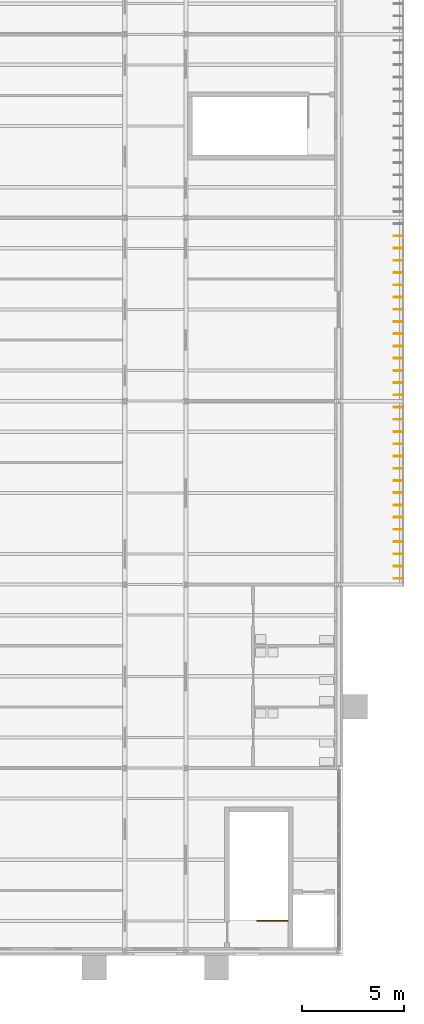
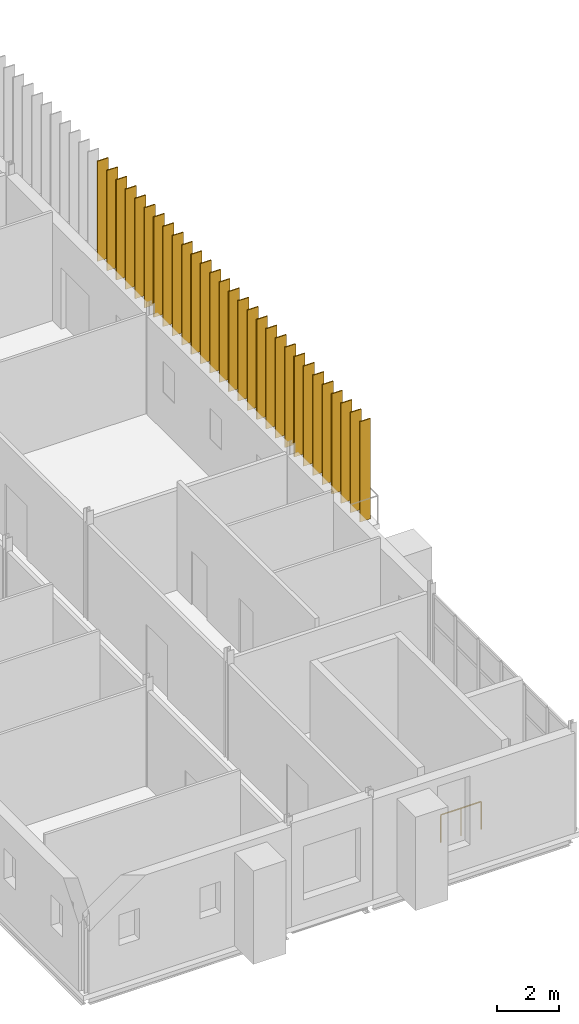
# One storey, part 126 of 131: 29 shading devices, 1 railing.
"""IFC4 building model written with IfcOpenShell, lengths in metres."""

from ifc_helpers import new_model, si_unit, direction, frame, origin, origin_2d, place, context, subcontext, project, spatial, rectangle, circle, extrude, material, layer, layer_set, type_object, element, save


model = new_model("IFC4")

# Units and contexts
model_context = context("Model", 3, precision=1e-05, world=origin(), true_north=direction((0.0, 1.0)))
body_context = subcontext(model_context, "Body", "Model", "MODEL_VIEW")
ifc_project = project(units=[si_unit("LENGTHUNIT", "METRE"), si_unit("AREAUNIT", "SQUARE_METRE"), si_unit("VOLUMEUNIT", "CUBIC_METRE"), si_unit("PLANEANGLEUNIT", "RADIAN"), si_unit("MASSUNIT", "GRAM", prefix="KILO")], contexts=[model_context])

# Site, building, storey
site_placement = place(None, origin())
site = spatial("IfcSite", under=ifc_project, at=site_placement, CompositionType="ELEMENT")
building_placement = place(site_placement, origin())
building = spatial("IfcBuilding", under=site, at=building_placement, Name="Golden Quay Civic Hall", CompositionType="ELEMENT")
storey_placement = place(building_placement, frame((0.0, 0.0, 9.89990234375)))
storey = spatial("IfcBuildingStorey", under=building, at=storey_placement, Name="L02", CompositionType="ELEMENT", Elevation=9.89990234375)

# Shading devices
ifc_material_1 = material(Name="Aluminium, anodised", Category="aluminium")
ifc_layer = layer(ifc_material_1, 0.0400390625)
ifc_layer_set = layer_set([ifc_layer], Name="Louvre fin 40 x 400")
shading_device_type = type_object("IfcShadingDeviceType", Name="Louvre fin 40 x 400", PredefinedType="JALOUSIE", material=ifc_layer_set)
for number, where, z_axis, x_axis, name in (
    (1, (173.89990234375, 9.300048828125, 0.000244140625), (0.0, 0.0, 1.0), (0.0, 1.0, 0.0), "Louvre fin 40 x 400 L02 1"),
    (2, (173.89990234375, 9.89990234375, 0.000244140625), (0.0, 0.0, 1.0), (0.0, 1.0, 0.0), "Louvre fin 40 x 400 L02 2"),
    (3, (173.89990234375, 10.5, 0.000244140625), (0.0, 0.0, 1.0), (0.0, 1.0, 0.0), "Louvre fin 40 x 400 L02 3"),
    (4, (173.89990234375, 11.10009765625, 0.000244140625), (0.0, 0.0, 1.0), (0.0, 1.0, 0.0), "Louvre fin 40 x 400 L02 4"),
    (5, (173.89990234375, 11.699951171875, 0.000244140625), (0.0, 0.0, 1.0), (0.0, 1.0, 0.0), "Louvre fin 40 x 400 L02 5"),
    (6, (173.89990234375, 12.300048828125, 0.000244140625), (0.0, 0.0, 1.0), (0.0, 1.0, 0.0), "Louvre fin 40 x 400 L02 6"),
    (7, (173.89990234375, 12.89990234375, 0.000244140625), (0.0, 0.0, 1.0), (0.0, 1.0, 0.0), "Louvre fin 40 x 400 L02 7"),
    (8, (173.89990234375, 13.5, 0.000244140625), (0.0, 0.0, 1.0), (0.0, 1.0, 0.0), "Louvre fin 40 x 400 L02 8"),
    (9, (173.89990234375, 14.10009765625, 0.000244140625), (0.0, 0.0, 1.0), (0.0, 1.0, 0.0), "Louvre fin 40 x 400 L02 9"),
    (10, (173.89990234375, 14.699951171875, 0.000244140625), (0.0, 0.0, 1.0), (0.0, 1.0, 0.0), "Louvre fin 40 x 400 L02 10"),
    (11, (173.89990234375, 15.300048828125, 0.000244140625), (0.0, 0.0, 1.0), (0.0, 1.0, 0.0), "Louvre fin 40 x 400 L02 11"),
    (12, (173.89990234375, 15.89990234375, 0.000244140625), (0.0, 0.0, 1.0), (0.0, 1.0, 0.0), "Louvre fin 40 x 400 L02 12"),
    (13, (173.89990234375, 16.5, 0.000244140625), (0.0, 0.0, 1.0), (0.0, 1.0, 0.0), "Louvre fin 40 x 400 L02 13"),
    (14, (173.89990234375, 17.10009765625, 0.000244140625), (0.0, 0.0, 1.0), (0.0, 1.0, 0.0), "Louvre fin 40 x 400 L02 14"),
    (15, (173.89990234375, 17.699951171875, 0.000244140625), (0.0, 0.0, 1.0), (0.0, 1.0, 0.0), "Louvre fin 40 x 400 L02 15"),
    (16, (173.89990234375, 18.300048828125, 0.000244140625), (0.0, 0.0, 1.0), (0.0, 1.0, 0.0), "Louvre fin 40 x 400 L02 16"),
    (17, (173.89990234375, 18.89990234375, 0.000244140625), (0.0, 0.0, 1.0), (0.0, 1.0, 0.0), "Louvre fin 40 x 400 L02 17"),
    (18, (173.89990234375, 19.5, 0.000244140625), (0.0, 0.0, 1.0), (0.0, 1.0, 0.0), "Louvre fin 40 x 400 L02 18"),
    (19, (173.89990234375, 20.10009765625, 0.000244140625), (0.0, 0.0, 1.0), (0.0, 1.0, 0.0), "Louvre fin 40 x 400 L02 19"),
    (20, (173.89990234375, 20.699951171875, 0.000244140625), (0.0, 0.0, 1.0), (0.0, 1.0, 0.0), "Louvre fin 40 x 400 L02 20"),
    (21, (173.89990234375, 21.300048828125, 0.000244140625), (0.0, 0.0, 1.0), (0.0, 1.0, 0.0), "Louvre fin 40 x 400 L02 21"),
    (22, (173.89990234375, 21.89990234375, 0.000244140625), (0.0, 0.0, 1.0), (0.0, 1.0, 0.0), "Louvre fin 40 x 400 L02 22"),
    (23, (173.89990234375, 22.5, 0.000244140625), (0.0, 0.0, 1.0), (0.0, 1.0, 0.0), "Louvre fin 40 x 400 L02 23"),
    (24, (173.89990234375, 23.10009765625, 0.000244140625), (0.0, 0.0, 1.0), (0.0, 1.0, 0.0), "Louvre fin 40 x 400 L02 24"),
    (25, (173.89990234375, 23.699951171875, 0.000244140625), (0.0, 0.0, 1.0), (0.0, 1.0, 0.0), "Louvre fin 40 x 400 L02 25"),
    (26, (173.89990234375, 24.300048828125, 0.000244140625), (0.0, 0.0, 1.0), (0.0, 1.0, 0.0), "Louvre fin 40 x 400 L02 26"),
    (27, (173.89990234375, 24.89990234375, 0.000244140625), (0.0, 0.0, 1.0), (0.0, 1.0, 0.0), "Louvre fin 40 x 400 L02 27"),
    (28, (173.89990234375, 25.5, 0.000244140625), (0.0, 0.0, 1.0), (0.0, 1.0, 0.0), "Louvre fin 40 x 400 L02 28"),
    (29, (173.89990234375, 26.10009765625, 0.000244140625), (0.0, 0.0, 1.0), (0.0, 1.0, 0.0), "Louvre fin 40 x 400 L02 29"),
):
    element("IfcShadingDevice", number, at=place(storey_placement, frame(where, z_axis=z_axis, x_axis=x_axis)), inside=storey, type_object=shading_device_type, Name=name, PredefinedType="JALOUSIE", context=body_context, shape_type="SweptSolid", body=[
        extrude(rectangle(XDim=0.0400390625, YDim=0.39990234375, at=origin_2d()), origin(), (0.0, 0.0, 1.0), 3.919921875),
    ])

# Railing
ifc_material_2 = material(Name="Steel S355", Category="steel")
railing_type = type_object("IfcRailingType", Name="Steel guard 1100", PredefinedType="GUARDRAIL", material=ifc_material_2)
railing_placement = place(storey_placement, frame((168.5, -7.5, 0.0)))
element("IfcRailing", 30, at=railing_placement, inside=storey, type_object=railing_type, Name="L02 EO-S top well guard 1", PredefinedType="GUARDRAIL", context=body_context, shape_type="SweptSolid", body=[
    extrude(circle(Radius=0.02392578125, at=origin_2d()), frame((0.0, 0.0, 1.076171875), z_axis=(-1.0, 0.0, 0.0), x_axis=(0.0, -1.0, 0.0)), (0.0, 0.0, 1.0), 1.5),
    extrude(circle(Radius=0.02099609375, at=origin_2d()), origin(), (0.0, 0.0, 1.0), 1.052001953125),
    extrude(circle(Radius=0.02099609375, at=origin_2d()), frame((-0.75, 0.0, 0.0)), (0.0, 0.0, 1.0), 1.052001953125),
    extrude(circle(Radius=0.02099609375, at=origin_2d()), frame((-1.5, 0.0, 0.0)), (0.0, 0.0, 1.0), 1.052001953125),
])

save(model, "model.ifc")
